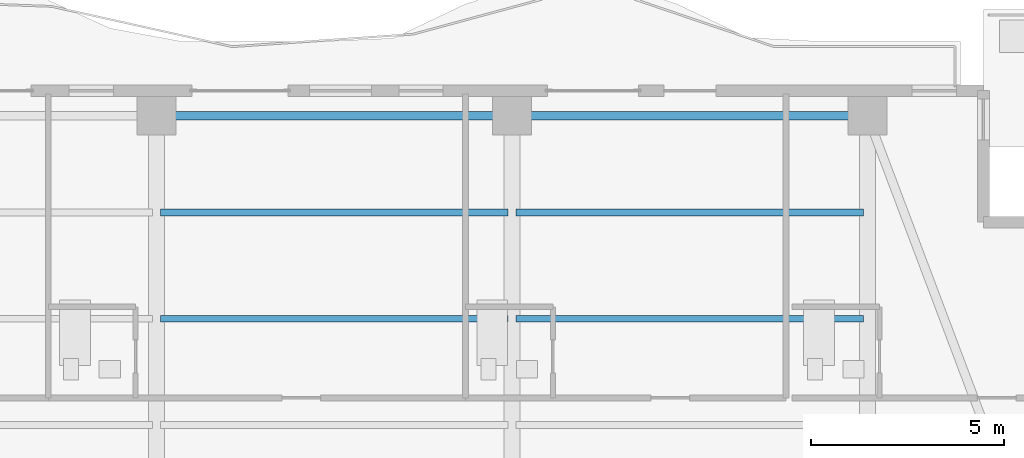
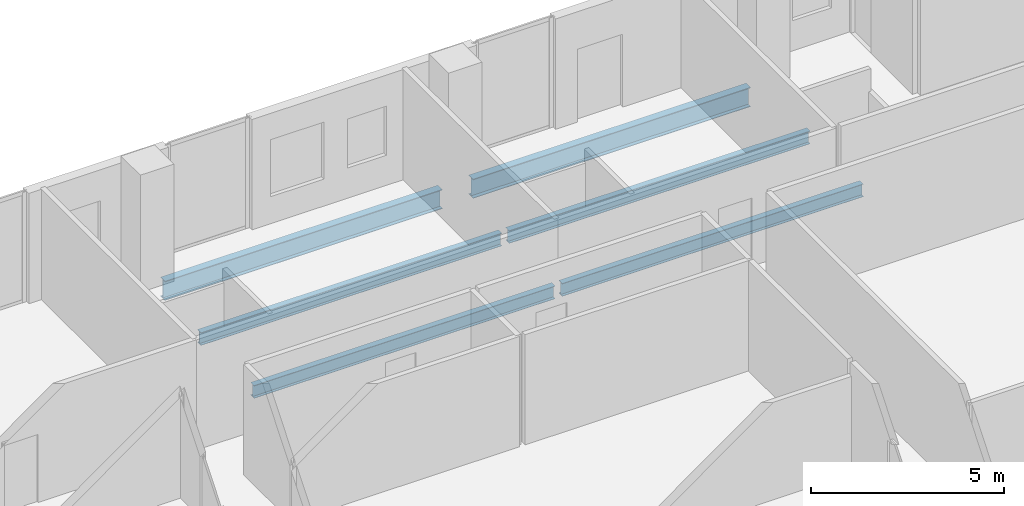
# One storey, part 13 of 23: 6 beams.
"""IFC4 building model written with IfcOpenShell, lengths in metres."""

from ifc_helpers import new_model, si_unit, direction, frame, origin, origin_2d, place, context, subcontext, project, spatial, i_section, extrude, material, material_profile, profile_set, type_object, element, save


model = new_model("IFC4")

# Units and contexts
model_context = context("Model", 3, precision=1e-05, world=origin(), true_north=direction((0.0, 1.0)))
body_context = subcontext(model_context, "Body", "Model", "MODEL_VIEW")
ifc_project = project(units=[si_unit("LENGTHUNIT", "METRE"), si_unit("AREAUNIT", "SQUARE_METRE"), si_unit("VOLUMEUNIT", "CUBIC_METRE"), si_unit("PLANEANGLEUNIT", "RADIAN"), si_unit("MASSUNIT", "GRAM", prefix="KILO")], contexts=[model_context])

# Site, building, storey
site_placement = place(None, origin())
site = spatial("IfcSite", under=ifc_project, at=site_placement, CompositionType="ELEMENT")
building_placement = place(site_placement, origin())
building = spatial("IfcBuilding", under=site, at=building_placement, Name="Zuhayl Quay Hotel", CompositionType="ELEMENT")
storey_placement = place(building_placement, frame((0.0, 0.0, 265.550048828125)))
storey = spatial("IfcBuildingStorey", under=building, at=storey_placement, Name="L67", CompositionType="ELEMENT", Elevation=265.550048828125)

# Beams
ifc_material = material(Name="Steel ASTM A992 Grade 50", Category="steel")
ifc_material_profile_1 = material_profile(ifc_material, i_section(OverallWidth=0.22802734375, OverallDepth=0.60693359375, WebThickness=0.01123046875, FlangeThickness=0.017333984375, at=origin_2d()), Name="W24X76")
ifc_profile_set_1 = profile_set([ifc_material_profile_1], Name="Steel ASTM A992 Grade 50")
beam_type_1 = type_object("IfcBeamType", Name="BM_B3_W24X76", PredefinedType="BEAM", material=ifc_profile_set_1)
beam_1_placement = place(storey_placement, frame((13.340087890625, 38.35009765625, -0.5234375), z_axis=(-1.0, 0.0, 0.0), x_axis=(0.0, -1.0, 0.0)))
element("IfcBeam", 1, at=beam_1_placement, inside=storey, type_object=beam_type_1, Name="L67 Floor Beam RG_L67_07", PredefinedType="BEAM", context=body_context, shape_type="SweptSolid", body=[
    extrude(i_section(OverallWidth=0.22802734375, OverallDepth=0.60693359375, WebThickness=0.01123046875, FlangeThickness=0.017333984375, at=origin_2d()), origin(), (0.0, 0.0, 1.0), 8.280029296875),
])
beam_2_placement = place(storey_placement, frame((4.139892578125, 38.35009765625, -0.5234375), z_axis=(-1.0, 0.0, 0.0), x_axis=(0.0, -1.0, 0.0)))
element("IfcBeam", 2, at=beam_2_placement, inside=storey, type_object=beam_type_1, Name="L67 Floor Beam RG_L67_08", PredefinedType="BEAM", context=body_context, shape_type="SweptSolid", body=[
    extrude(i_section(OverallWidth=0.22802734375, OverallDepth=0.60693359375, WebThickness=0.01123046875, FlangeThickness=0.017333984375, at=origin_2d()), origin(), (0.0, 0.0, 1.0), 8.27978515625),
])
ifc_material_profile_2 = material_profile(ifc_material, i_section(OverallWidth=0.177978515625, OverallDepth=0.404052734375, WebThickness=0.007568359375, FlangeThickness=0.010986328125, at=origin_2d()), Name="W16X36")
ifc_profile_set_2 = profile_set([ifc_material_profile_2], Name="Steel ASTM A992 Grade 50")
beam_type_2 = type_object("IfcBeamType", Name="BM_J3_W16X36", PredefinedType="JOIST", material=ifc_profile_set_2)
beam_3_placement = place(storey_placement, frame((-4.493896484375, 33.10009765625, -0.422119140625), z_axis=(1.0, 0.0, 0.0), x_axis=(0.0, 1.0, 0.0)))
element("IfcBeam", 3, at=beam_3_placement, inside=storey, type_object=beam_type_2, Name="L67 Floor Beam FJ_L67_7_2", PredefinedType="JOIST", context=body_context, shape_type="SweptSolid", body=[
    extrude(i_section(OverallWidth=0.177978515625, OverallDepth=0.404052734375, WebThickness=0.007568359375, FlangeThickness=0.010986328125, at=origin_2d()), origin(), (0.0, 0.0, 1.0), 8.98779296875),
])
beam_4_placement = place(storey_placement, frame((4.7060546875, 33.10009765625, -0.422119140625), z_axis=(1.0, 0.0, 0.0), x_axis=(0.0, 1.0, 0.0)))
element("IfcBeam", 4, at=beam_4_placement, inside=storey, type_object=beam_type_2, Name="L67 Floor Beam FJ_L67_7_3", PredefinedType="JOIST", context=body_context, shape_type="SweptSolid", body=[
    extrude(i_section(OverallWidth=0.177978515625, OverallDepth=0.404052734375, WebThickness=0.007568359375, FlangeThickness=0.010986328125, at=origin_2d()), origin(), (0.0, 0.0, 1.0), 8.988037109375),
])
beam_5_placement = place(storey_placement, frame((-4.493896484375, 35.85009765625, -0.422119140625), z_axis=(1.0, 0.0, 0.0), x_axis=(0.0, 1.0, 0.0)))
element("IfcBeam", 5, at=beam_5_placement, inside=storey, type_object=beam_type_2, Name="L67 Floor Beam FJ_L67_8_2", PredefinedType="JOIST", context=body_context, shape_type="SweptSolid", body=[
    extrude(i_section(OverallWidth=0.177978515625, OverallDepth=0.404052734375, WebThickness=0.007568359375, FlangeThickness=0.010986328125, at=origin_2d()), origin(), (0.0, 0.0, 1.0), 8.98779296875),
])
beam_6_placement = place(storey_placement, frame((4.7060546875, 35.85009765625, -0.422119140625), z_axis=(1.0, 0.0, 0.0), x_axis=(0.0, 1.0, 0.0)))
element("IfcBeam", 6, at=beam_6_placement, inside=storey, type_object=beam_type_2, Name="L67 Floor Beam FJ_L67_8_3", PredefinedType="JOIST", context=body_context, shape_type="SweptSolid", body=[
    extrude(i_section(OverallWidth=0.177978515625, OverallDepth=0.404052734375, WebThickness=0.007568359375, FlangeThickness=0.010986328125, at=origin_2d()), origin(), (0.0, 0.0, 1.0), 8.988037109375),
])

save(model, "model.ifc")
